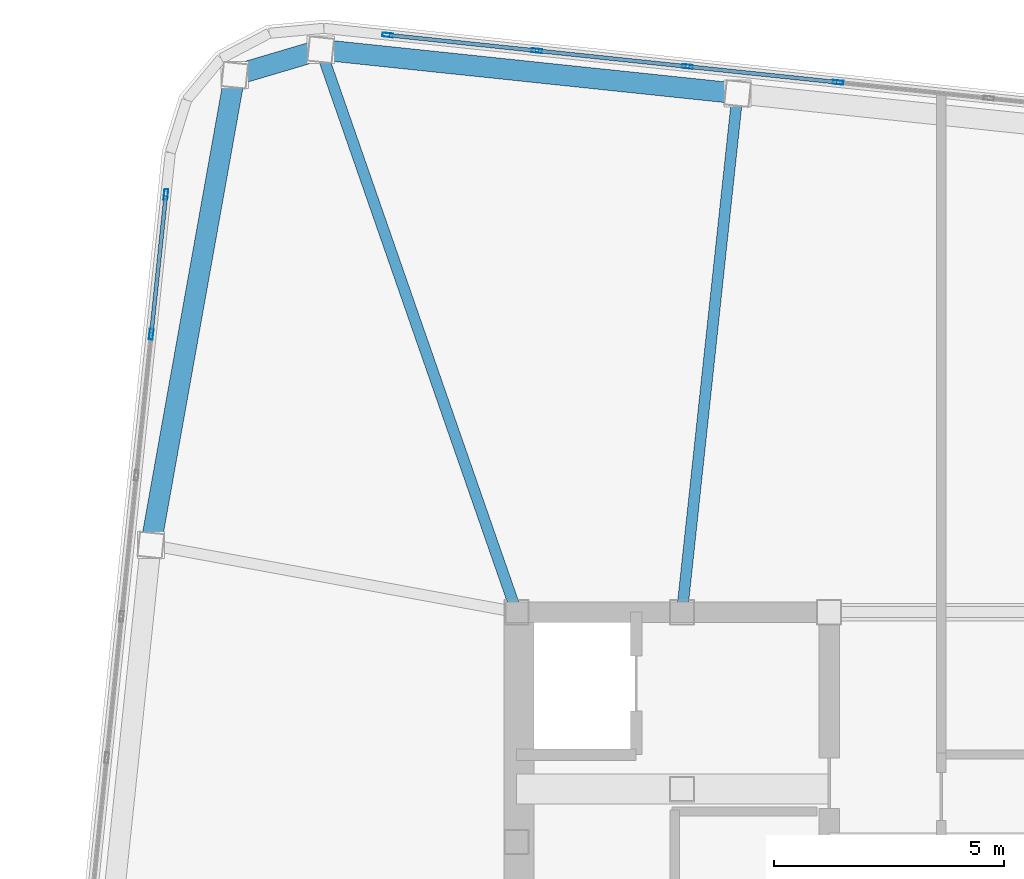
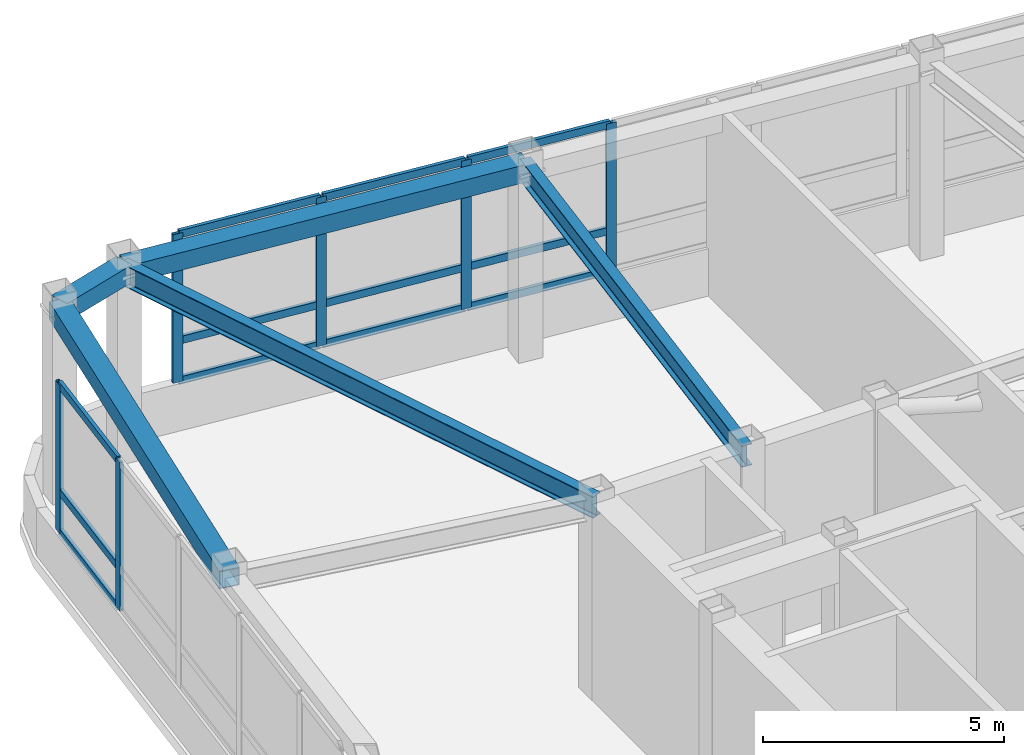
# One storey, part 14 of 21: 18 members, 5 beams, 2 elements without a shape of their own.
"""IFC4 building model written with IfcOpenShell, lengths in metres."""

import ifcopenshell
import ifcopenshell.guid

model = None  # the IFC model being written
_history = None  # IfcOwnerHistory: only IFC2X3 demands one
_inside = {}  # id of a spatial element -> (the spatial element, [elements in it])
_under = {}  # id of a project, library or spatial element -> (it, [spatial elements below it])
_declared = {}  # id of a project -> (the project, [libraries it declares])
_typed = {}  # id of a type object -> (the type object, [elements of that type])
_made_of = {}  # id of a material, layer set ... -> (it, [elements and type objects made of it])


def new_model(schema):
    """Start an empty IFC model of exactly this schema.

    Asked for "IFC4X3", IfcOpenShell would pick the latest addendum, in which some entities
    have other attributes; the version numbers below select the first issue.
    IFC2X3 requires an IfcOwnerHistory on every rooted entity: one is made here for all.
    """
    global model, _history
    if schema == "IFC4X3":
        model = ifcopenshell.file(schema_version=(4, 3, 0, 0))
    else:
        model = ifcopenshell.file(schema=schema)
    _inside.clear()
    _under.clear()
    _declared.clear()
    _typed.clear()
    _made_of.clear()
    _history = None
    if model.schema == "IFC2X3":
        org = make("IfcOrganization", Name="unknown")
        user = make(
            "IfcPersonAndOrganization",
            ThePerson=make("IfcPerson", FamilyName="unknown"),
            TheOrganization=org,
        )
        app = make(
            "IfcApplication",
            ApplicationDeveloper=org,
            Version="unknown",
            ApplicationFullName="unknown",
            ApplicationIdentifier="unknown",
        )
        _history = make(
            "IfcOwnerHistory",
            OwningUser=user,
            OwningApplication=app,
            ChangeAction="ADDED",
            CreationDate=0,
        )
    return model


def make(cls, **values):
    """One entity of the class cls with the attributes given. An attribute that is None is left unset."""
    return model.create_entity(
        cls, **{name: value for name, value in values.items() if value is not None}
    )


def rooted(cls, **values):
    """An entity with a GlobalId (a new one), such as an element, a storey or a relation."""
    return make(cls, GlobalId=ifcopenshell.guid.new(), OwnerHistory=_history, **values)


def si_unit(unit_type, name, prefix=None):
    """IfcSIUnit, for example si_unit("LENGTHUNIT", "METRE", prefix="MILLI")."""
    return make("IfcSIUnit", UnitType=unit_type, Prefix=prefix, Name=name)


def assignment(units):
    """IfcUnitAssignment: the units of a project."""
    return None if units is None else make("IfcUnitAssignment", Units=units)


def point(xyz):
    """IfcCartesianPoint."""
    return None if xyz is None else make("IfcCartesianPoint", Coordinates=xyz)


def direction(xyz):
    """IfcDirection."""
    return None if xyz is None else make("IfcDirection", DirectionRatios=xyz)


def frame(location, z_axis=None, x_axis=None):
    """IfcAxis2Placement3D, a coordinate frame: its origin and axes. An axis left out is left unset."""
    return make(
        "IfcAxis2Placement3D",
        Location=point(location),
        Axis=direction(z_axis),
        RefDirection=direction(x_axis),
    )


def frame_2d(location, x_axis=None):
    """IfcAxis2Placement2D, a coordinate frame in the plane: its origin and x axis."""
    return make(
        "IfcAxis2Placement2D", Location=point(location), RefDirection=direction(x_axis)
    )


def origin():
    """The frame at (0, 0, 0) with its axes left unset."""
    return frame((0.0, 0.0, 0.0))


def origin_2d():
    """The frame at (0, 0) in the plane with its x axis left unset."""
    return frame_2d((0.0, 0.0))


def place(relative_to, where):
    """IfcLocalPlacement: puts the frame where relative to a parent placement (None: the world)."""
    return make(
        "IfcLocalPlacement", PlacementRelTo=relative_to, RelativePlacement=where
    )


def context(
    kind, dimensions, precision=None, world=None, true_north=None, identifier=None
):
    """IfcGeometricRepresentationContext, for example the 3D "Model" context."""
    return make(
        "IfcGeometricRepresentationContext",
        ContextIdentifier=identifier,
        ContextType=kind,
        CoordinateSpaceDimension=dimensions,
        Precision=precision,
        WorldCoordinateSystem=world,
        TrueNorth=true_north,
    )


def subcontext(parent, identifier, kind, view, scale=None):
    """IfcGeometricRepresentationSubContext, for example "Body" below "Model"."""
    return make(
        "IfcGeometricRepresentationSubContext",
        ContextIdentifier=identifier,
        ContextType=kind,
        ParentContext=parent,
        TargetScale=scale,
        TargetView=view,
    )


def project(units=None, contexts=None):
    """IfcProject with its units and contexts."""
    return rooted(
        "IfcProject",
        Name="project",
        RepresentationContexts=contexts,
        UnitsInContext=assignment(units),
    )


def spatial(cls, under=None, at=None, **own):
    """A site, building, storey or space (cls), placed at a placement, below another one or the project."""
    s = rooted(cls, ObjectPlacement=at, **own)
    if under is not None:
        _under.setdefault(under.id(), (under, []))[1].append(s)
    return s


def profile(cls, at=None, kind="AREA", **sizes):
    """A parametric profile (cls). Its sizes go by their IFC names, for example OverallWidth=200.0."""
    return make(cls, ProfileType=kind, Position=at, **sizes)


def hollow_rectangle(**sizes):
    """IfcRectangleHollowProfileDef."""
    return profile("IfcRectangleHollowProfileDef", **sizes)


def i_section(**sizes):
    """IfcIShapeProfileDef."""
    return profile("IfcIShapeProfileDef", **sizes)


def extrude(swept, where, along, depth):
    """IfcExtrudedAreaSolid: the profile swept, set in the frame where, extruded along a direction by depth."""
    return make(
        "IfcExtrudedAreaSolid",
        SweptArea=swept,
        Position=where,
        ExtrudedDirection=direction(along),
        Depth=depth,
    )


def shape(context_of_items, identifier, shape_type, items):
    """IfcShapeRepresentation: the items that make up one representation, for example the "Body"."""
    return make(
        "IfcShapeRepresentation",
        ContextOfItems=context_of_items,
        RepresentationIdentifier=identifier,
        RepresentationType=shape_type,
        Items=items,
    )


def material(Name=None, Category=None):
    """IfcMaterial."""
    return make("IfcMaterial", Name=Name, Category=Category)


def layer(
    of_material, thickness, ventilated=None, Name=None, Category=None, Priority=None
):
    """IfcMaterialLayer: one layer of a wall or slab, of a material (None: an air gap)."""
    return make(
        "IfcMaterialLayer",
        Material=of_material,
        LayerThickness=thickness,
        IsVentilated=ventilated,
        Name=Name,
        Category=Category,
        Priority=Priority,
    )


def layer_set(layers, Name=None):
    """IfcMaterialLayerSet."""
    return make("IfcMaterialLayerSet", MaterialLayers=layers, LayerSetName=Name)


def material_profile(
    of_material, cross_section, Name=None, Category=None, Priority=None
):
    """IfcMaterialProfile: a cross section and its material."""
    return make(
        "IfcMaterialProfile",
        Name=Name,
        Material=of_material,
        Profile=cross_section,
        Priority=Priority,
        Category=Category,
    )


def profile_set(profiles, Name=None, composite=None):
    """IfcMaterialProfileSet."""
    return make(
        "IfcMaterialProfileSet",
        Name=Name,
        MaterialProfiles=profiles,
        CompositeProfile=composite,
    )


def made_of(thing, what):
    """Note that an element or type object is made of a material, layer set ...; save() writes the relation."""
    if what is not None:
        _made_of.setdefault(what.id(), (what, []))[1].append(thing)
    return thing


def type_object(cls, material=None, **own):
    """A type object (cls), such as IfcWallType, which elements share."""
    return made_of(rooted(cls, **own), material)


def element(
    cls,
    number,
    at=None,
    inside=None,
    cuts=None,
    type_object=None,
    material=None,
    context=None,
    identifier="Body",
    shape_type=None,
    held_by="IfcProductDefinitionShape",
    body=None,
    shapes=None,
    **own,
):
    """One element of the class cls, such as IfcWall. Its Tag is "e" and its number.

    at: its placement. inside: the storey or other place that contains it. cuts: it is an
    opening in that element (IfcRelVoidsElement). A single representation is given by context,
    identifier, shape_type and body (its items); several are given by shapes. held_by: the class
    of the entity that holds the representations. save() writes the other relations.
    """
    e = rooted(cls, Tag="e%d" % number, ObjectPlacement=at, **own)
    if body is not None:
        shapes = [shape(context, identifier, shape_type, body)]
    if shapes is not None:
        e.Representation = make(held_by, Representations=shapes)
    if inside is not None:
        _inside.setdefault(inside.id(), (inside, []))[1].append(e)
    if cuts is not None:
        rooted(
            "IfcRelVoidsElement", RelatingBuildingElement=cuts, RelatedOpeningElement=e
        )
    if type_object is not None:
        _typed.setdefault(type_object.id(), (type_object, []))[1].append(e)
    return made_of(e, material)


def aggregate(whole, parts):
    """IfcRelAggregates: a whole, such as a stair, and the parts it consists of."""
    return rooted("IfcRelAggregates", RelatingObject=whole, RelatedObjects=parts)


def save(model, path):
    """Write the relations noted so far, then the file.

    IfcRelAggregates (storeys below a building ...), IfcRelContainedInSpatialStructure (elements
    in a storey), IfcRelDefinesByType, IfcRelAssociatesMaterial and IfcRelDeclares: one each for
    every whole, place, type object, material and project.
    """
    for whole, parts in _under.values():
        aggregate(whole, parts)
    for where, things in _inside.values():
        rooted(
            "IfcRelContainedInSpatialStructure",
            RelatedElements=things,
            RelatingStructure=where,
        )
    for kind, things in _typed.values():
        rooted("IfcRelDefinesByType", RelatedObjects=things, RelatingType=kind)
    for what, things in _made_of.values():
        rooted("IfcRelAssociatesMaterial", RelatedObjects=things, RelatingMaterial=what)
    for by, libraries in _declared.values():
        rooted("IfcRelDeclares", RelatingContext=by, RelatedDefinitions=libraries)
    model.write(path)


model = new_model("IFC4")

# Units and contexts
model_context = context("Model", 3, precision=1e-05, world=origin(), true_north=direction((0.0, 1.0)))
body_context = subcontext(model_context, "Body", "Model", "MODEL_VIEW")
ifc_project = project(units=[si_unit("LENGTHUNIT", "METRE"), si_unit("AREAUNIT", "SQUARE_METRE"), si_unit("VOLUMEUNIT", "CUBIC_METRE"), si_unit("PLANEANGLEUNIT", "RADIAN"), si_unit("MASSUNIT", "GRAM", prefix="KILO")], contexts=[model_context])

# Site, building, storey
site_placement = place(None, origin())
site = spatial("IfcSite", under=ifc_project, at=site_placement, CompositionType="ELEMENT")
building_placement = place(site_placement, origin())
building = spatial("IfcBuilding", under=site, at=building_placement, Name="Voryun Gate Residences", CompositionType="ELEMENT")
storey_placement = place(building_placement, frame((0.0, 0.0, 337.199951171875)))
storey = spatial("IfcBuildingStorey", under=building, at=storey_placement, Name="L82", CompositionType="ELEMENT", Elevation=337.199951171875)

# Beams
ifc_material_1 = material(Name="Steel SM355", Category="steel")
ifc_material_profile_1 = material_profile(ifc_material_1, hollow_rectangle(XDim=0.449951171875, YDim=0.449951171875, WallThickness=0.01806640625, at=origin_2d()), Name="BOX-450x450x18")
ifc_profile_set_1 = profile_set([ifc_material_profile_1], Name="Steel SM355")
beam_type_1 = type_object("IfcBeamType", Name="BM_CROWN_RING", PredefinedType="BEAM", material=ifc_profile_set_1)
beam_1_placement = place(storey_placement, frame((-14.3916015625, 18.684814453125, 4.735107421875), z_axis=(-0.994520844313, 0.104538462908, 0.0), x_axis=(-0.104538462908, -0.994520844313, 0.0)))
element("IfcBeam", 1, at=beam_1_placement, inside=storey, type_object=beam_type_1, Name="BM-L82-SPAND-15", PredefinedType="BEAM", context=body_context, shape_type="SweptSolid", body=[
    extrude(hollow_rectangle(XDim=0.449951171875, YDim=0.449951171875, WallThickness=0.01806640625, at=origin_2d()), origin(), (0.0, 0.0, 1.0), 9.119873046875),
])
beam_2_placement = place(storey_placement, frame((-23.46142578125, 19.63818359375, 4.735107421875), z_axis=(-0.958835963288, -0.283960552728, 0.0), x_axis=(0.283960552728, -0.958835963288, 0.0)))
element("IfcBeam", 2, at=beam_2_placement, inside=storey, type_object=beam_type_1, Name="BM-L82-SPAND-16", PredefinedType="BEAM", context=body_context, shape_type="SweptSolid", body=[
    extrude(hollow_rectangle(XDim=0.449951171875, YDim=0.449951171875, WallThickness=0.01806640625, at=origin_2d()), origin(), (0.0, 0.0, 1.0), 1.95166015625),
])
beam_3_placement = place(storey_placement, frame((-25.332763671875, 19.083984375, 4.735107421875), z_axis=(-0.175791452213, -0.984427430199, 0.0), x_axis=(0.984427430199, -0.175791452213, 0.0)))
element("IfcBeam", 3, at=beam_3_placement, inside=storey, type_object=beam_type_1, Name="BM-L82-SPAND-17", PredefinedType="BEAM", context=body_context, shape_type="SweptSolid", body=[
    extrude(hollow_rectangle(XDim=0.449951171875, YDim=0.449951171875, WallThickness=0.01806640625, at=origin_2d()), origin(), (0.0, 0.0, 1.0), 10.384033203125),
])
ifc_material_2 = material(Name="Steel SM355", Category="steel")
ifc_material_profile_2 = material_profile(ifc_material_2, i_section(OverallWidth=0.239990234375, OverallDepth=0.550048828125, WebThickness=0.011962890625, FlangeThickness=0.02001953125, FilletRadius=0.01806640625, at=origin_2d()), Name="H-550x240x12x20")
ifc_profile_set_2 = profile_set([ifc_material_profile_2], Name="Steel SM355")
beam_type_2 = type_object("IfcBeamType", Name="BM_GIRD_550", PredefinedType="USERDEFINED", material=ifc_profile_set_2)
beam_4_placement = place(storey_placement, frame((-15.60009765625, 7.39990234375, 4.68505859375), z_axis=(0.106480715232, 0.994314767709, 0.0), x_axis=(-0.994314767709, 0.106480715232, 0.0)))
element("IfcBeam", 4, at=beam_4_placement, inside=storey, type_object=beam_type_2, Name="BM-L82-RAD-N5", ObjectType="GIRDER", PredefinedType="USERDEFINED", context=body_context, shape_type="SweptSolid", body=[
    extrude(i_section(OverallWidth=0.239990234375, OverallDepth=0.550048828125, WebThickness=0.011962890625, FlangeThickness=0.02001953125, FilletRadius=0.01806640625, at=origin_2d()), origin(), (0.0, 0.0, 1.0), 11.349365234375),
])
beam_5_placement = place(storey_placement, frame((-19.199951171875, 7.39990234375, 4.68505859375), z_axis=(-0.328842846436, 0.944384658043, 0.0), x_axis=(-0.944384658043, -0.328842846436, 0.0)))
element("IfcBeam", 5, at=beam_5_placement, inside=storey, type_object=beam_type_2, Name="BM-L82-RAD-N6", ObjectType="GIRDER", PredefinedType="USERDEFINED", context=body_context, shape_type="SweptSolid", body=[
    extrude(i_section(OverallWidth=0.239990234375, OverallDepth=0.550048828125, WebThickness=0.011962890625, FlangeThickness=0.02001953125, FilletRadius=0.01806640625, at=origin_2d()), origin(), (0.0, 0.0, 1.0), 12.958984375),
])

# Curtain wall, members
ifc_material_3 = material(Name="Anodised aluminium", Category="aluminium")
ifc_layer = layer(ifc_material_3, 0.22998046875, Name="CW_SYS_LANTERN_DARK_GLASS")
ifc_layer_set = layer_set([ifc_layer], Name="Anodised aluminium")
curtain_wall_type = type_object("IfcCurtainWallType", Name="CW_SYS_LANTERN_DARK_GLASS", PredefinedType="NOTDEFINED", material=ifc_layer_set)
curtain_wall_1_placement = place(storey_placement, origin())
curtain_wall_1 = element("IfcCurtainWall", 6, at=curtain_wall_1_placement, inside=storey, type_object=curtain_wall_type, Name="Curtain wall CW6-L82-06", PredefinedType="NOTDEFINED")
ifc_material_4 = material(Name="Anodised aluminium", Category="aluminium")
ifc_material_profile_3 = material_profile(ifc_material_4, hollow_rectangle(XDim=0.0849609375, YDim=0.22998046875, WallThickness=0.006103515625, at=origin_2d()), Name="ALU-MULL-230x85x6")
ifc_profile_set_3 = profile_set([ifc_material_profile_3], Name="Anodised aluminium")
member_type_1 = type_object("IfcMemberType", Name="CW_MULL_LANT", PredefinedType="MULLION", material=ifc_profile_set_3)
member_1_placement = place(storey_placement, frame((-27.14892578125, 13.447265625, 1.18994140625), z_axis=(0.0, 0.0, 1.0), x_axis=(-0.994521943608, 0.104528004296, 0.0)))
member_1 = element("IfcMember", 7, at=member_1_placement, type_object=member_type_1, Name="CW6 mullion 9", PredefinedType="MULLION", context=body_context, shape_type="SweptSolid", body=[
    extrude(hollow_rectangle(XDim=0.0849609375, YDim=0.22998046875, WallThickness=0.006103515625, at=origin_2d()), origin(), (0.0, 0.0, 1.0), 3.77001953125),
])
member_2_placement = place(storey_placement, frame((-26.829345703125, 16.48828125, 1.18994140625), z_axis=(0.0, 0.0, 1.0), x_axis=(-0.994521943608, 0.104528004296, 0.0)))
member_2 = element("IfcMember", 8, at=member_2_placement, type_object=member_type_1, Name="CW6 mullion 10", PredefinedType="MULLION", context=body_context, shape_type="SweptSolid", body=[
    extrude(hollow_rectangle(XDim=0.0849609375, YDim=0.22998046875, WallThickness=0.006103515625, at=origin_2d()), origin(), (0.0, 0.0, 1.0), 3.77001953125),
])

curtain_wall_2_placement = place(storey_placement, origin())
curtain_wall_2 = element("IfcCurtainWall", 9, at=curtain_wall_2_placement, inside=storey, type_object=curtain_wall_type, Name="Curtain wall CW6-L82-11", PredefinedType="NOTDEFINED")
member_3_placement = place(storey_placement, frame((-22.005615234375, 19.957763671875, 1.18994140625), z_axis=(0.0, 0.0, 1.0), x_axis=(0.10452775858, 0.994521969434, 0.0)))
member_3 = element("IfcMember", 10, at=member_3_placement, type_object=member_type_1, Name="CW6 mullion 1", PredefinedType="MULLION", context=body_context, shape_type="SweptSolid", body=[
    extrude(hollow_rectangle(XDim=0.0849609375, YDim=0.22998046875, WallThickness=0.006103515625, at=origin_2d()), origin(), (0.0, 0.0, 1.0), 3.77001953125),
])
member_4_placement = place(storey_placement, frame((-18.7587890625, 19.616455078125, 1.18994140625), z_axis=(0.0, 0.0, 1.0), x_axis=(0.10452775858, 0.994521969434, 0.0)))
member_4 = element("IfcMember", 11, at=member_4_placement, type_object=member_type_1, Name="CW6 mullion 2", PredefinedType="MULLION", context=body_context, shape_type="SweptSolid", body=[
    extrude(hollow_rectangle(XDim=0.0849609375, YDim=0.22998046875, WallThickness=0.006103515625, at=origin_2d()), origin(), (0.0, 0.0, 1.0), 3.77001953125),
])
member_5_placement = place(storey_placement, frame((-15.482177734375, 19.272216796875, 1.18994140625), z_axis=(0.0, 0.0, 1.0), x_axis=(0.10452775858, 0.994521969434, 0.0)))
member_5 = element("IfcMember", 12, at=member_5_placement, type_object=member_type_1, Name="CW6 mullion 3", PredefinedType="MULLION", context=body_context, shape_type="SweptSolid", body=[
    extrude(hollow_rectangle(XDim=0.0849609375, YDim=0.22998046875, WallThickness=0.006103515625, at=origin_2d()), origin(), (0.0, 0.0, 1.0), 3.77001953125),
])
member_6_placement = place(storey_placement, frame((-12.20556640625, 18.927734375, 1.18994140625), z_axis=(0.0, 0.0, 1.0), x_axis=(0.10452775858, 0.994521969434, 0.0)))
member_6 = element("IfcMember", 13, at=member_6_placement, type_object=member_type_1, Name="CW6 mullion 4", PredefinedType="MULLION", context=body_context, shape_type="SweptSolid", body=[
    extrude(hollow_rectangle(XDim=0.0849609375, YDim=0.22998046875, WallThickness=0.006103515625, at=origin_2d()), origin(), (0.0, 0.0, 1.0), 3.77001953125),
])

# Member
ifc_material_5 = material(Name="Anodised aluminium", Category="aluminium")
ifc_material_profile_4 = material_profile(ifc_material_5, hollow_rectangle(XDim=0.0849609375, YDim=0.18994140625, WallThickness=0.006103515625, at=origin_2d()), Name="ALU-TRAN-190x85x6")
ifc_profile_set_4 = profile_set([ifc_material_profile_4], Name="Anodised aluminium")
member_type_2 = type_object("IfcMemberType", Name="CW_TRAN_LANT", PredefinedType="USERDEFINED", material=ifc_profile_set_4)
member_7_placement = place(storey_placement, frame((-27.145751953125, 13.47705078125, 1.219970703125), z_axis=(0.104566085446, 0.994517940398, 0.0), x_axis=(-0.994517940398, 0.104566085446, 0.0)))
member_7 = element("IfcMember", 14, at=member_7_placement, type_object=member_type_2, Name="CW6 transom 9.1", ObjectType="TRANSOM", PredefinedType="USERDEFINED", context=body_context, shape_type="SweptSolid", body=[
    extrude(hollow_rectangle(XDim=0.0849609375, YDim=0.18994140625, WallThickness=0.006103515625, at=origin_2d()), origin(), (0.0, 0.0, 1.0), 2.997802734375),
])

member_8_placement = place(storey_placement, frame((-27.145751953125, 13.47705078125, 2.239990234375), z_axis=(0.104566085446, 0.994517940398, 0.0), x_axis=(-0.994517940398, 0.104566085446, 0.0)))
member_8 = element("IfcMember", 15, at=member_8_placement, type_object=member_type_2, Name="CW6 transom 9.2", ObjectType="TRANSOM", PredefinedType="USERDEFINED", context=body_context, shape_type="SweptSolid", body=[
    extrude(hollow_rectangle(XDim=0.0849609375, YDim=0.18994140625, WallThickness=0.006103515625, at=origin_2d()), origin(), (0.0, 0.0, 1.0), 2.997802734375),
])

member_9_placement = place(storey_placement, frame((-27.145751953125, 13.47705078125, 4.929931640625), z_axis=(0.104566085446, 0.994517940398, 0.0), x_axis=(-0.994517940398, 0.104566085446, 0.0)))
member_9 = element("IfcMember", 16, at=member_9_placement, type_object=member_type_2, Name="CW6 transom 9.3", ObjectType="TRANSOM", PredefinedType="USERDEFINED", context=body_context, shape_type="SweptSolid", body=[
    extrude(hollow_rectangle(XDim=0.0849609375, YDim=0.18994140625, WallThickness=0.006103515625, at=origin_2d()), origin(), (0.0, 0.0, 1.0), 2.997802734375),
])

aggregate(curtain_wall_1, [member_1, member_2, member_7, member_8, member_9])

member_10_placement = place(storey_placement, frame((-21.975830078125, 19.95458984375, 1.219970703125), z_axis=(0.994522970689, -0.104518231772, 0.0), x_axis=(0.104518231772, 0.994522970689, 0.0)))
member_10 = element("IfcMember", 17, at=member_10_placement, type_object=member_type_2, Name="CW6 transom 1.1", ObjectType="TRANSOM", PredefinedType="USERDEFINED", context=body_context, shape_type="SweptSolid", body=[
    extrude(hollow_rectangle(XDim=0.0849609375, YDim=0.18994140625, WallThickness=0.006103515625, at=origin_2d()), origin(), (0.0, 0.0, 1.0), 3.204833984375),
])

member_11_placement = place(storey_placement, frame((-21.975830078125, 19.95458984375, 2.239990234375), z_axis=(0.994522970689, -0.104518231772, 0.0), x_axis=(0.104518231772, 0.994522970689, 0.0)))
member_11 = element("IfcMember", 18, at=member_11_placement, type_object=member_type_2, Name="CW6 transom 1.2", ObjectType="TRANSOM", PredefinedType="USERDEFINED", context=body_context, shape_type="SweptSolid", body=[
    extrude(hollow_rectangle(XDim=0.0849609375, YDim=0.18994140625, WallThickness=0.006103515625, at=origin_2d()), origin(), (0.0, 0.0, 1.0), 3.204833984375),
])

member_12_placement = place(storey_placement, frame((-21.975830078125, 19.95458984375, 4.929931640625), z_axis=(0.994522970689, -0.104518231772, 0.0), x_axis=(0.104518231772, 0.994522970689, 0.0)))
member_12 = element("IfcMember", 19, at=member_12_placement, type_object=member_type_2, Name="CW6 transom 1.3", ObjectType="TRANSOM", PredefinedType="USERDEFINED", context=body_context, shape_type="SweptSolid", body=[
    extrude(hollow_rectangle(XDim=0.0849609375, YDim=0.18994140625, WallThickness=0.006103515625, at=origin_2d()), origin(), (0.0, 0.0, 1.0), 3.204833984375),
])

member_13_placement = place(storey_placement, frame((-18.72900390625, 19.61328125, 1.219970703125), z_axis=(0.994521569819, -0.104531560613, 0.0), x_axis=(0.104531560613, 0.994521569819, 0.0)))
member_13 = element("IfcMember", 20, at=member_13_placement, type_object=member_type_2, Name="CW6 transom 2.1", ObjectType="TRANSOM", PredefinedType="USERDEFINED", context=body_context, shape_type="SweptSolid", body=[
    extrude(hollow_rectangle(XDim=0.0849609375, YDim=0.18994140625, WallThickness=0.006103515625, at=origin_2d()), origin(), (0.0, 0.0, 1.0), 3.23486328125),
])

member_14_placement = place(storey_placement, frame((-18.72900390625, 19.61328125, 2.239990234375), z_axis=(0.994521569819, -0.104531560613, 0.0), x_axis=(0.104531560613, 0.994521569819, 0.0)))
member_14 = element("IfcMember", 21, at=member_14_placement, type_object=member_type_2, Name="CW6 transom 2.2", ObjectType="TRANSOM", PredefinedType="USERDEFINED", context=body_context, shape_type="SweptSolid", body=[
    extrude(hollow_rectangle(XDim=0.0849609375, YDim=0.18994140625, WallThickness=0.006103515625, at=origin_2d()), origin(), (0.0, 0.0, 1.0), 3.23486328125),
])

member_15_placement = place(storey_placement, frame((-18.72900390625, 19.61328125, 4.929931640625), z_axis=(0.994521569819, -0.104531560613, 0.0), x_axis=(0.104531560613, 0.994521569819, 0.0)))
member_15 = element("IfcMember", 22, at=member_15_placement, type_object=member_type_2, Name="CW6 transom 2.3", ObjectType="TRANSOM", PredefinedType="USERDEFINED", context=body_context, shape_type="SweptSolid", body=[
    extrude(hollow_rectangle(XDim=0.0849609375, YDim=0.18994140625, WallThickness=0.006103515625, at=origin_2d()), origin(), (0.0, 0.0, 1.0), 3.23486328125),
])

member_16_placement = place(storey_placement, frame((-15.452392578125, 19.26904296875, 1.219970703125), z_axis=(0.994521569819, -0.104531560613, 0.0), x_axis=(0.104531560613, 0.994521569819, 0.0)))
member_16 = element("IfcMember", 23, at=member_16_placement, type_object=member_type_2, Name="CW6 transom 3.1", ObjectType="TRANSOM", PredefinedType="USERDEFINED", context=body_context, shape_type="SweptSolid", body=[
    extrude(hollow_rectangle(XDim=0.0849609375, YDim=0.18994140625, WallThickness=0.006103515625, at=origin_2d()), origin(), (0.0, 0.0, 1.0), 3.23486328125),
])

member_17_placement = place(storey_placement, frame((-15.452392578125, 19.26904296875, 2.239990234375), z_axis=(0.994521569819, -0.104531560613, 0.0), x_axis=(0.104531560613, 0.994521569819, 0.0)))
member_17 = element("IfcMember", 24, at=member_17_placement, type_object=member_type_2, Name="CW6 transom 3.2", ObjectType="TRANSOM", PredefinedType="USERDEFINED", context=body_context, shape_type="SweptSolid", body=[
    extrude(hollow_rectangle(XDim=0.0849609375, YDim=0.18994140625, WallThickness=0.006103515625, at=origin_2d()), origin(), (0.0, 0.0, 1.0), 3.23486328125),
])

member_18_placement = place(storey_placement, frame((-15.452392578125, 19.26904296875, 4.929931640625), z_axis=(0.994521569819, -0.104531560613, 0.0), x_axis=(0.104531560613, 0.994521569819, 0.0)))
member_18 = element("IfcMember", 25, at=member_18_placement, type_object=member_type_2, Name="CW6 transom 3.3", ObjectType="TRANSOM", PredefinedType="USERDEFINED", context=body_context, shape_type="SweptSolid", body=[
    extrude(hollow_rectangle(XDim=0.0849609375, YDim=0.18994140625, WallThickness=0.006103515625, at=origin_2d()), origin(), (0.0, 0.0, 1.0), 3.23486328125),
])

aggregate(curtain_wall_2, [member_3, member_4, member_5, member_6, member_10, member_11, member_12, member_13, member_14, member_15, member_16, member_17, member_18])

save(model, "model.ifc")
